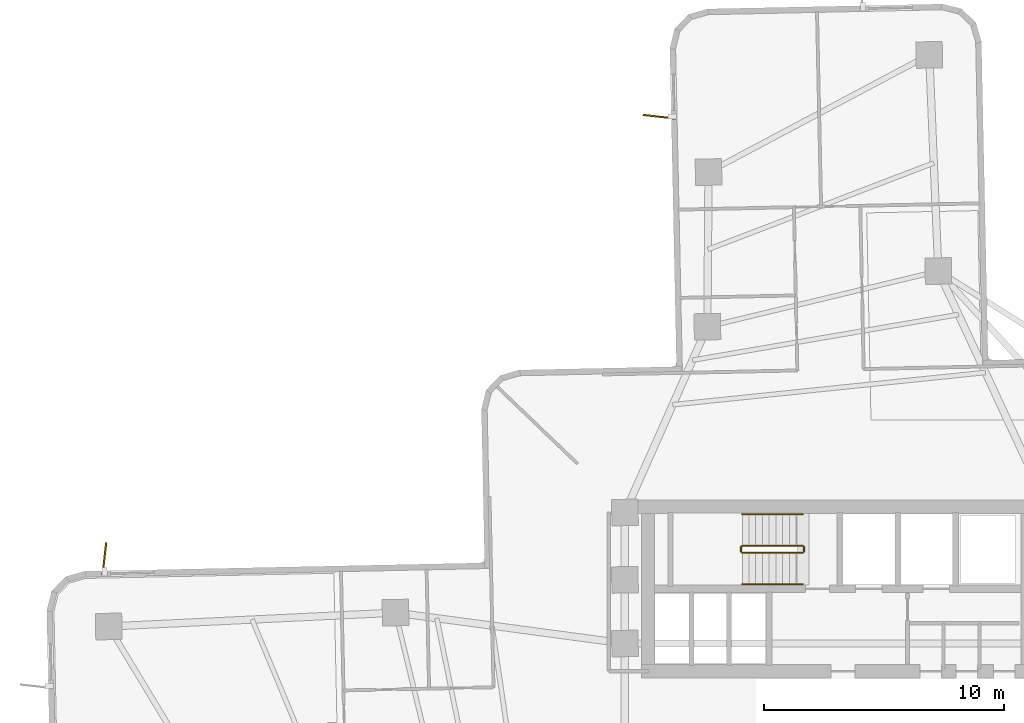
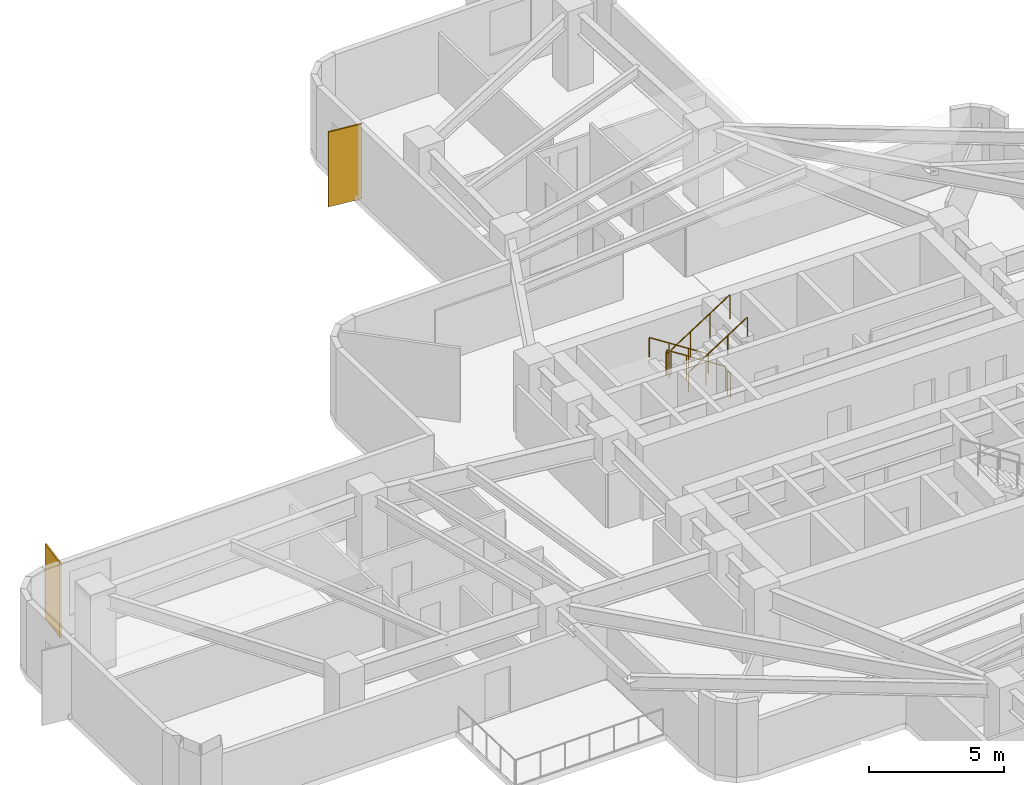
# One storey, part 9 of 10: 6 railings, 2 shading devices.
"""IFC4 building model written with IfcOpenShell, lengths in metres."""

from ifc_helpers import new_model, si_unit, direction, frame, origin, origin_2d, place, context, subcontext, project, spatial, rectangle, circle, extrude, material, layer, layer_set, type_object, element, save


model = new_model("IFC4")

# Units and contexts
model_context = context("Model", 3, precision=1e-05, world=origin(), true_north=direction((0.0, 1.0)))
body_context = subcontext(model_context, "Body", "Model", "MODEL_VIEW")
ifc_project = project(units=[si_unit("LENGTHUNIT", "METRE"), si_unit("AREAUNIT", "SQUARE_METRE"), si_unit("VOLUMEUNIT", "CUBIC_METRE"), si_unit("PLANEANGLEUNIT", "RADIAN"), si_unit("MASSUNIT", "GRAM", prefix="KILO")], contexts=[model_context])

# Site, building, storey
site_placement = place(None, origin())
site = spatial("IfcSite", under=ifc_project, at=site_placement, CompositionType="ELEMENT")
building_placement = place(site_placement, origin())
building = spatial("IfcBuilding", under=site, at=building_placement, Name="Solmarez Civic Tower", CompositionType="ELEMENT")
storey_placement = place(building_placement, frame((0.0, 0.0, 35.280029296875)))
storey = spatial("IfcBuildingStorey", under=building, at=storey_placement, Name="L08", CompositionType="ELEMENT", Elevation=35.280029296875)

# Shading devices
ifc_material_1 = material(Name="Bronze Anodised Aluminium EN AW-6063 T6", Category="aluminium")
ifc_layer = layer(ifc_material_1, 0.06494140625)
ifc_layer_set = layer_set([ifc_layer], Name="Bronze Anodised Aluminium EN AW-6063 T6")
shading_device_type = type_object("IfcShadingDeviceType", Name="FIN-BRONZE-Z12", PredefinedType="USERDEFINED", material=ifc_layer_set)
for number, where, z_axis, x_axis, name in (
    (1, (-30.5, 6.427978515625, -0.0400390625), (0.0, 0.0, 1.0), (0.113081825222, 0.993585678643, 0.0), "L08 Anodised Bronze Solar Fin FIN-L08-02"),
    (2, (-7.426025390625, 24.81005859375, -0.0400390625), (0.0, 0.0, 1.0), (-0.993587652142, 0.113064483863, 0.0), "L08 Anodised Bronze Solar Fin FIN-L08-03"),
):
    element("IfcShadingDevice", number, at=place(storey_placement, frame(where, z_axis=z_axis, x_axis=x_axis)), inside=storey, type_object=shading_device_type, Name=name, ObjectType="FIN", PredefinedType="USERDEFINED", context=body_context, shape_type="SweptSolid", body=[
        extrude(rectangle(XDim=1.35009765625, YDim=0.06494140625, at=origin_2d()), origin(), (0.0, 0.0, 1.0), 3.3798828125),
    ])

# Railings
ifc_material_2 = material(Name="Painted Steel Stairwell Safety Guard", Category="steel")
railing_type_1 = type_object("IfcRailingType", Name="GUARD-STAIR-1120", PredefinedType="BALUSTRADE", material=ifc_material_2)
railing_1_placement = place(storey_placement, frame((-1.449951171875, 6.969970703125, 0.179931640625)))
element("IfcRailing", 3, at=railing_1_placement, inside=storey, type_object=railing_type_1, Name="L08 ST-1 stair guard 1", PredefinedType="BALUSTRADE", context=body_context, shape_type="SweptSolid", body=[
    extrude(circle(Radius=0.02392578125, at=origin_2d()), frame((0.0, 0.0, 1.09619140625), z_axis=(-0.841162588446, 0.0, 0.540782303519), x_axis=(0.0, -1.0, 0.0)), (0.0, 0.0, 1.0), 2.995849609375),
    extrude(circle(Radius=0.02099609375, at=origin_2d()), origin(), (0.0, 0.0, 1.0), 1.072021484375),
    extrude(circle(Radius=0.02099609375, at=origin_2d()), frame((-0.840087890625, 0.0, 0.5400390625)), (0.0, 0.0, 1.0), 1.072021484375),
    extrude(circle(Radius=0.02099609375, at=origin_2d()), frame((-1.679931640625, 0.0, 1.080078125)), (0.0, 0.0, 1.0), 1.072021484375),
    extrude(circle(Radius=0.02099609375, at=origin_2d()), frame((-2.52001953125, 0.0, 1.6201171875)), (0.0, 0.0, 1.0), 1.072021484375),
])
railing_2_placement = place(storey_placement, frame((-4.02001953125, 6.919921875, 1.800048828125)))
element("IfcRailing", 4, at=railing_2_placement, inside=storey, type_object=railing_type_1, Name="L08 ST-1 stair guard 2", PredefinedType="BALUSTRADE", context=body_context, shape_type="SweptSolid", body=[
    extrude(circle(Radius=0.02392578125, at=origin_2d()), frame((0.0, 0.0, 1.09619140625), z_axis=(0.0, -1.0, 0.0), x_axis=(1.0, 0.0, 0.0)), (0.0, 0.0, 1.0), 0.199951171875),
    extrude(circle(Radius=0.02099609375, at=origin_2d()), origin(), (0.0, 0.0, 1.0), 1.072021484375),
    extrude(circle(Radius=0.02099609375, at=origin_2d()), frame((0.0, -0.199951171875, 0.0)), (0.0, 0.0, 1.0), 1.072021484375),
])
railing_3_placement = place(storey_placement, frame((-3.969970703125, 6.669921875, 1.97998046875)))
element("IfcRailing", 5, at=railing_3_placement, inside=storey, type_object=railing_type_1, Name="L08 ST-1 stair guard 3", PredefinedType="BALUSTRADE", context=body_context, shape_type="SweptSolid", body=[
    extrude(circle(Radius=0.02392578125, at=origin_2d()), frame((0.0, 0.0, 1.09619140625), z_axis=(0.841199657755, 0.0, 0.540724639528), x_axis=(0.0, 1.0, 0.0)), (0.0, 0.0, 1.0), 2.995849609375),
    extrude(circle(Radius=0.02099609375, at=origin_2d()), origin(), (0.0, 0.0, 1.0), 1.072021484375),
    extrude(circle(Radius=0.02099609375, at=origin_2d()), frame((0.840087890625, 0.0, 0.5400390625)), (0.0, 0.0, 1.0), 1.072021484375),
    extrude(circle(Radius=0.02099609375, at=origin_2d()), frame((1.679931640625, 0.0, 1.079833984375)), (0.0, 0.0, 1.0), 1.072021484375),
    extrude(circle(Radius=0.02099609375, at=origin_2d()), frame((2.52001953125, 0.0, 1.619873046875)), (0.0, 0.0, 1.0), 1.072021484375),
])
railing_4_placement = place(storey_placement, frame((-1.39990234375, 6.919921875, 0.0)))
element("IfcRailing", 6, at=railing_4_placement, inside=storey, type_object=railing_type_1, Name="L08 ST-1 stair guard 4", PredefinedType="BALUSTRADE", context=body_context, shape_type="SweptSolid", body=[
    extrude(circle(Radius=0.02392578125, at=origin_2d()), frame((0.0, 0.0, 1.09619140625), z_axis=(0.0, -1.0, 0.0), x_axis=(1.0, 0.0, 0.0)), (0.0, 0.0, 1.0), 0.199951171875),
    extrude(circle(Radius=0.02099609375, at=origin_2d()), origin(), (0.0, 0.0, 1.0), 1.072021484375),
    extrude(circle(Radius=0.02099609375, at=origin_2d()), frame((0.0, -0.199951171875, 0.0)), (0.0, 0.0, 1.0), 1.072021484375),
])
ifc_material_3 = material(Name="Brushed Stainless Steel Tube Handrail", Category="steel")
railing_type_2 = type_object("IfcRailingType", Name="HANDRAIL-STAIR-900", PredefinedType="HANDRAIL", material=ifc_material_3)
railing_5_placement = place(storey_placement, frame((-1.449951171875, 8.27001953125, 0.179931640625)))
element("IfcRailing", 7, at=railing_5_placement, inside=storey, type_object=railing_type_2, Name="L08 ST-1 stair handrail 1", PredefinedType="HANDRAIL", context=body_context, shape_type="SweptSolid", body=[
    extrude(circle(Radius=0.02392578125, at=origin_2d()), frame((0.0, 0.0, 0.8759765625), z_axis=(-0.841162588446, 0.0, 0.540782303519), x_axis=(0.0, -1.0, 0.0)), (0.0, 0.0, 1.0), 2.995849609375),
    extrude(circle(Radius=0.02099609375, at=origin_2d()), origin(), (0.0, 0.0, 1.0), 0.851806640625),
    extrude(circle(Radius=0.02099609375, at=origin_2d()), frame((-0.840087890625, 0.0, 0.5400390625)), (0.0, 0.0, 1.0), 0.851806640625),
    extrude(circle(Radius=0.02099609375, at=origin_2d()), frame((-1.679931640625, 0.0, 1.080078125)), (0.0, 0.0, 1.0), 0.851806640625),
    extrude(circle(Radius=0.02099609375, at=origin_2d()), frame((-2.52001953125, 0.0, 1.6201171875)), (0.0, 0.0, 1.0), 0.851806640625),
])
railing_6_placement = place(storey_placement, frame((-3.969970703125, 5.3701171875, 1.97998046875)))
element("IfcRailing", 8, at=railing_6_placement, inside=storey, type_object=railing_type_2, Name="L08 ST-1 stair handrail 2", PredefinedType="HANDRAIL", context=body_context, shape_type="SweptSolid", body=[
    extrude(circle(Radius=0.02392578125, at=origin_2d()), frame((0.0, 0.0, 0.8759765625), z_axis=(0.841199657755, 0.0, 0.540724639528), x_axis=(0.0, 1.0, 0.0)), (0.0, 0.0, 1.0), 2.995849609375),
    extrude(circle(Radius=0.02099609375, at=origin_2d()), origin(), (0.0, 0.0, 1.0), 0.851806640625),
    extrude(circle(Radius=0.02099609375, at=origin_2d()), frame((0.840087890625, 0.0, 0.5400390625)), (0.0, 0.0, 1.0), 0.851806640625),
    extrude(circle(Radius=0.02099609375, at=origin_2d()), frame((1.679931640625, 0.0, 1.079833984375)), (0.0, 0.0, 1.0), 0.851806640625),
    extrude(circle(Radius=0.02099609375, at=origin_2d()), frame((2.52001953125, 0.0, 1.619873046875)), (0.0, 0.0, 1.0), 0.851806640625),
])

save(model, "model.ifc")
